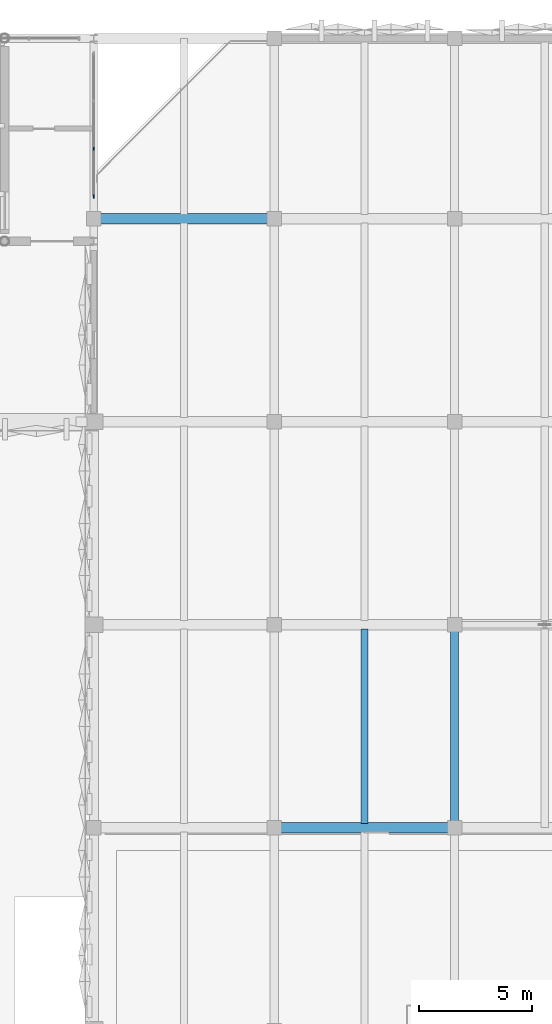
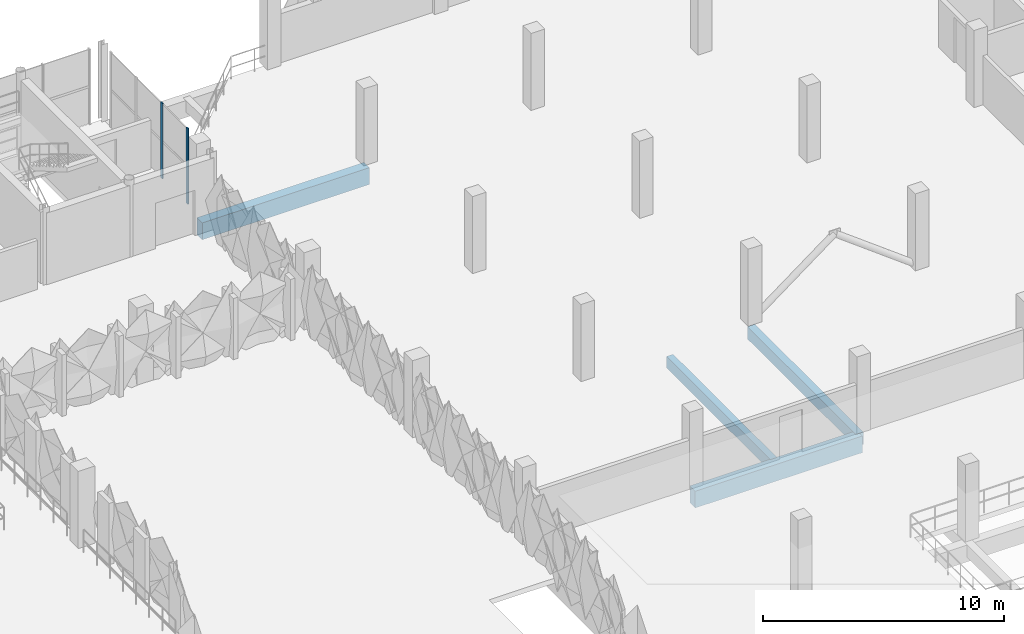
# One storey, part 31 of 96: 4 beams, 2 members, 1 element without a shape of its own.
"""IFC4 building model written with IfcOpenShell, lengths in metres."""

from ifc_helpers import new_model, si_unit, derived_unit, direction, frame, origin, origin_2d, place, context, subcontext, project, spatial, rectangle, extrude, material, layer, layer_set, material_profile, profile_set, type_object, element, aggregate, save


model = new_model("IFC4")

# Units and contexts
model_context = context("Model", 3, precision=1e-05, world=origin(), true_north=direction((0.0, 1.0)))
body_context = subcontext(model_context, "Body", "Model", "MODEL_VIEW")
ifc_project = project(units=[si_unit("LENGTHUNIT", "METRE"), si_unit("AREAUNIT", "SQUARE_METRE"), si_unit("VOLUMEUNIT", "CUBIC_METRE"), si_unit("PLANEANGLEUNIT", "RADIAN"), si_unit("MASSUNIT", "GRAM", prefix="KILO"), si_unit("THERMODYNAMICTEMPERATUREUNIT", "KELVIN"), derived_unit("THERMALTRANSMITTANCEUNIT", [(si_unit("POWERUNIT", "WATT"), 1), (si_unit("AREAUNIT", "SQUARE_METRE"), -1), (si_unit("THERMODYNAMICTEMPERATUREUNIT", "KELVIN"), -1)])], contexts=[model_context])

# Site, building, storey
site_placement = place(None, origin())
site = spatial("IfcSite", under=ifc_project, at=site_placement, CompositionType="ELEMENT")
building_placement = place(site_placement, origin())
building = spatial("IfcBuilding", under=site, at=building_placement, Name="Haiyu Intermodal Mobility Hub", CompositionType="ELEMENT")
storey_placement = place(building_placement, frame((0.0, 0.0, 9.5)))
storey = spatial("IfcBuildingStorey", under=building, at=storey_placement, Name="L02", CompositionType="ELEMENT", Elevation=9.5)

# Beams
ifc_material_1 = material(Name="Concrete C40", Category="concrete")
ifc_material_profile_1 = material_profile(ifc_material_1, rectangle(XDim=0.449951171875, YDim=0.85009765625, at=origin_2d()), Name="RCB450x850")
ifc_profile_set_1 = profile_set([ifc_material_profile_1], Name="Concrete C40")
beam_type_1 = type_object("IfcBeamType", Name="BM-CB02", PredefinedType="BEAM", material=ifc_profile_set_1)
for number, where, z_axis, x_axis, name in (
    (1, (170.0, 113.0, -0.68505859375), (1.0, 0.0, 0.0), (0.0, 1.0, 0.0), "BM-V6G-L02-026"),
    (2, (162.0, 140.0, -0.68505859375), (1.0, 0.0, 0.0), (0.0, 1.0, 0.0), "BM-V6G-L02-043"),
):
    element("IfcBeam", number, at=place(storey_placement, frame(where, z_axis=z_axis, x_axis=x_axis)), inside=storey, type_object=beam_type_1, Name=name, PredefinedType="BEAM", context=body_context, shape_type="SweptSolid", body=[
        extrude(rectangle(XDim=0.449951171875, YDim=0.85009765625, at=origin_2d()), origin(), (0.0, 0.0, 1.0), 8.0),
    ])
ifc_material_profile_2 = material_profile(ifc_material_1, rectangle(XDim=0.360107421875, YDim=0.6201171875, at=origin_2d()), Name="B360x620")
ifc_profile_set_2 = profile_set([ifc_material_profile_2], Name="Concrete C40")
beam_type_2 = type_object("IfcBeamType", Name="BM-CB16", PredefinedType="BEAM", material=ifc_profile_set_2)
beam_1_placement = place(storey_placement, frame((178.0, 113.0, -0.570068359375), z_axis=(0.0, 1.0, 0.0), x_axis=(-1.0, 0.0, 0.0)))
element("IfcBeam", 3, at=beam_1_placement, inside=storey, type_object=beam_type_2, Name="BM-V6T-L02-021", PredefinedType="BEAM", context=body_context, shape_type="SweptSolid", body=[
    extrude(rectangle(XDim=0.360107421875, YDim=0.6201171875, at=origin_2d()), origin(), (0.0, 0.0, 1.0), 9.0),
])
ifc_material_profile_3 = material_profile(ifc_material_1, rectangle(XDim=0.320068359375, YDim=0.580078125, at=origin_2d()), Name="B320x580")
ifc_profile_set_3 = profile_set([ifc_material_profile_3], Name="Concrete C40")
beam_type_3 = type_object("IfcBeamType", Name="BM-CB17", PredefinedType="JOIST", material=ifc_profile_set_3)
beam_2_placement = place(storey_placement, frame((174.0, 113.195068359375, -0.550048828125), z_axis=(0.0, 1.0, 0.0), x_axis=(-1.0, 0.0, 0.0)))
element("IfcBeam", 4, at=beam_2_placement, inside=storey, type_object=beam_type_3, Name="BM-V6J-L02-013", PredefinedType="JOIST", context=body_context, shape_type="SweptSolid", body=[
    extrude(rectangle(XDim=0.320068359375, YDim=0.580078125, at=origin_2d()), origin(), (0.0, 0.0, 1.0), 8.60986328125),
])

# Curtain wall, members
ifc_material_2 = material(Name="Low-e laminated insulating glass", Category="glass")
ifc_layer = layer(ifc_material_2, 0.199951171875)
ifc_layer_set = layer_set([ifc_layer], Name="Low-e laminated insulating glass")
curtain_wall_type = type_object("IfcCurtainWallType", Name="CW-CW03", PredefinedType="NOTDEFINED", material=ifc_layer_set)
curtain_wall_placement = place(storey_placement, origin())
curtain_wall = element("IfcCurtainWall", 5, at=curtain_wall_placement, inside=storey, type_object=curtain_wall_type, Name="Curtain Wall CW-C4S-L02-068", PredefinedType="NOTDEFINED")
ifc_material_3 = material(Name="Anodised aluminium 6063-T6", Category="aluminium")
ifc_material_profile_4 = material_profile(ifc_material_3, rectangle(XDim=0.06005859375, YDim=0.14501953125, at=origin_2d()), Name="ALU60x145")
ifc_profile_set_4 = profile_set([ifc_material_profile_4], Name="Anodised aluminium 6063-T6")
member_type = type_object("IfcMemberType", Name="CWM-ML03", PredefinedType="MULLION", material=ifc_profile_set_4)
member_1_placement = place(storey_placement, frame((162.0, 140.989990234375, 0.0), z_axis=(0.0, 0.0, 1.0), x_axis=(1.0, 0.0, 0.0)))
member_1 = element("IfcMember", 6, at=member_1_placement, type_object=member_type, Name="CW-C4S-L02-068-ML01", PredefinedType="MULLION", context=body_context, shape_type="SweptSolid", body=[
    extrude(rectangle(XDim=0.06005859375, YDim=0.14501953125, at=origin_2d()), origin(), (0.0, 0.0, 1.0), 3.820068359375),
])
member_2_placement = place(storey_placement, frame((162.0, 143.10693359375, 0.0), z_axis=(0.0, 0.0, 1.0), x_axis=(1.0, 0.0, 0.0)))
member_2 = element("IfcMember", 7, at=member_2_placement, type_object=member_type, Name="CW-C4S-L02-068-ML02", PredefinedType="MULLION", context=body_context, shape_type="SweptSolid", body=[
    extrude(rectangle(XDim=0.06005859375, YDim=0.14501953125, at=origin_2d()), origin(), (0.0, 0.0, 1.0), 3.820068359375),
])
aggregate(curtain_wall, [member_1, member_2])

save(model, "model.ifc")
